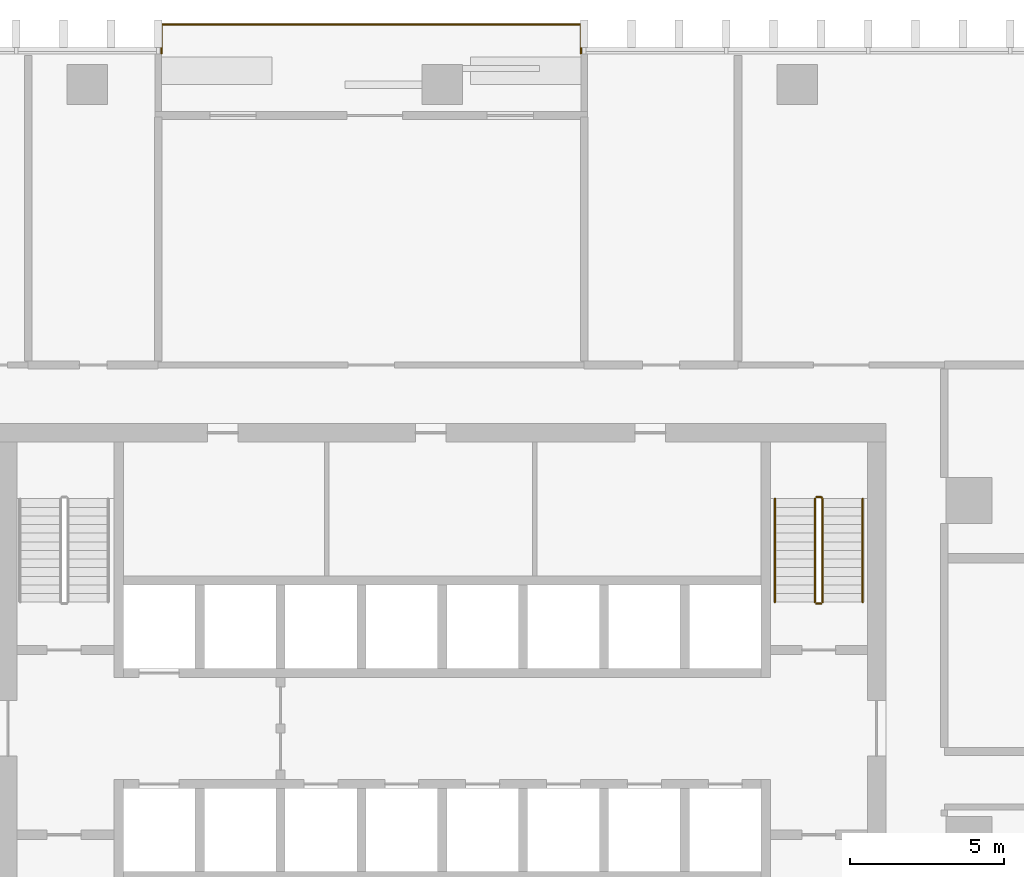
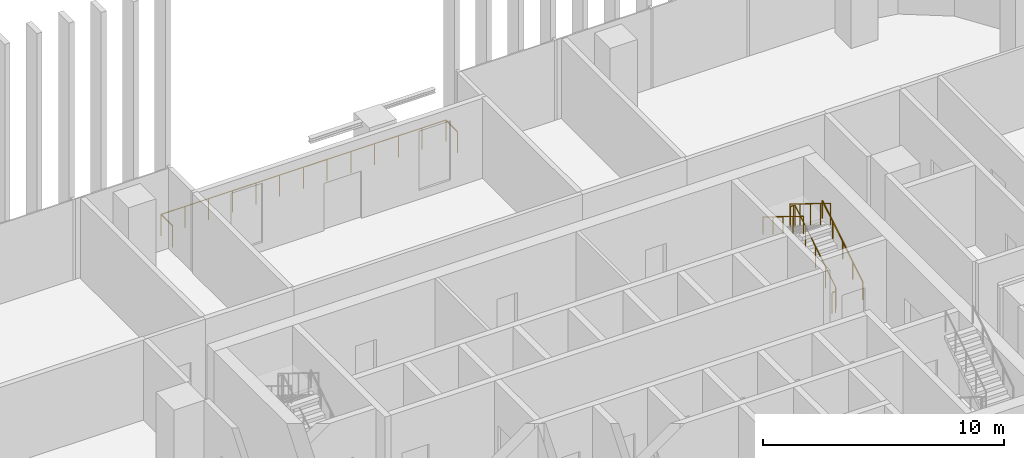
# One storey, part 16 of 17: 6 railings.
"""IFC4 building model written with IfcOpenShell, lengths in metres."""

from ifc_helpers import new_model, si_unit, direction, frame, origin, origin_2d, place, context, subcontext, project, spatial, circle, extrude, material, type_object, element, save


model = new_model("IFC4")

# Units and contexts
model_context = context("Model", 3, precision=1e-05, world=origin(), true_north=direction((0.0, 1.0)))
body_context = subcontext(model_context, "Body", "Model", "MODEL_VIEW")
ifc_project = project(units=[si_unit("LENGTHUNIT", "METRE"), si_unit("AREAUNIT", "SQUARE_METRE"), si_unit("VOLUMEUNIT", "CUBIC_METRE"), si_unit("PLANEANGLEUNIT", "RADIAN"), si_unit("MASSUNIT", "GRAM", prefix="KILO")], contexts=[model_context])

# Site, building, storey
site_placement = place(None, origin())
site = spatial("IfcSite", under=ifc_project, at=site_placement, CompositionType="ELEMENT")
building_placement = place(site_placement, origin())
building = spatial("IfcBuilding", under=site, at=building_placement, Name="Mopane Tessera Tower", CompositionType="ELEMENT")
storey_placement = place(building_placement, frame((0.0, 0.0, 135.10009765625)))
storey = spatial("IfcBuildingStorey", under=building, at=storey_placement, Name="L27", CompositionType="ELEMENT", Elevation=135.10009765625)

# Railings
ifc_material_1 = material(Name="Powder-coated steel balustrade", Category="steel")
railing_type_1 = type_object("IfcRailingType", Name="Escape stair guard 1100 mm", PredefinedType="GUARDRAIL", material=ifc_material_1)
railing_1_placement = place(storey_placement, frame((12.35009765625, 7.699951171875, 0.173095703125)))
element("IfcRailing", 1, at=railing_1_placement, inside=storey, type_object=railing_type_1, Name="L27 ST4 stair guard 1", PredefinedType="GUARDRAIL", context=body_context, shape_type="SweptSolid", body=[
    extrude(circle(Radius=0.02392578125, at=origin_2d()), frame((0.0, 0.0, 1.076171875), z_axis=(0.0, 0.850623216509, 0.525775754039), x_axis=(-1.0, 0.0, 0.0)), (0.0, 0.0, 1.0), 3.9501953125),
    extrude(circle(Radius=0.02392578125, at=origin_2d()), frame((0.0, 3.360107421875, 3.15283203125), z_axis=(-0.707106781187, 0.707106781187, 0.0), x_axis=(-0.707106781187, -0.707106781187, 0.0)), (0.0, 0.0, 1.0), 0.07080078125),
    extrude(circle(Radius=0.02392578125, at=origin_2d()), frame((-0.050048828125, 3.41015625, 3.15283203125), z_axis=(-1.0, 0.0, 0.0), x_axis=(0.0, -1.0, 0.0)), (0.0, 0.0, 1.0), 0.150146484375),
    extrude(circle(Radius=0.02099609375, at=origin_2d()), origin(), (0.0, 0.0, 1.0), 1.052001953125),
    extrude(circle(Radius=0.02099609375, at=origin_2d()), frame((0.0, 0.840087890625, 0.519287109375)), (0.0, 0.0, 1.0), 1.052001953125),
    extrude(circle(Radius=0.02099609375, at=origin_2d()), frame((0.0, 1.68017578125, 1.03857421875)), (0.0, 0.0, 1.0), 1.052001953125),
    extrude(circle(Radius=0.02099609375, at=origin_2d()), frame((0.0, 2.52001953125, 1.5576171875)), (0.0, 0.0, 1.0), 1.052001953125),
    extrude(circle(Radius=0.02099609375, at=origin_2d()), frame((0.0, 3.360107421875, 2.076904296875)), (0.0, 0.0, 1.0), 1.052001953125),
    extrude(circle(Radius=0.02099609375, at=origin_2d()), frame((-0.050048828125, 3.41015625, 2.076904296875)), (0.0, 0.0, 1.0), 1.052001953125),
    extrude(circle(Radius=0.02099609375, at=origin_2d()), frame((-0.2001953125, 3.41015625, 2.076904296875)), (0.0, 0.0, 1.0), 1.052001953125),
])
railing_2_placement = place(storey_placement, frame((12.10009765625, 11.06005859375, 2.423095703125)))
element("IfcRailing", 2, at=railing_2_placement, inside=storey, type_object=railing_type_1, Name="L27 ST4 stair guard 2", PredefinedType="GUARDRAIL", context=body_context, shape_type="SweptSolid", body=[
    extrude(circle(Radius=0.02392578125, at=origin_2d()), frame((0.0, 0.0, 1.076171875), z_axis=(0.0, -0.850623216509, 0.525775754039), x_axis=(1.0, 0.0, 0.0)), (0.0, 0.0, 1.0), 3.9501953125),
    extrude(circle(Radius=0.02099609375, at=origin_2d()), origin(), (0.0, 0.0, 1.0), 1.052001953125),
    extrude(circle(Radius=0.02099609375, at=origin_2d()), frame((0.0, -0.840087890625, 0.519287109375)), (0.0, 0.0, 1.0), 1.052001953125),
    extrude(circle(Radius=0.02099609375, at=origin_2d()), frame((0.0, -1.68017578125, 1.03857421875)), (0.0, 0.0, 1.0), 1.052001953125),
    extrude(circle(Radius=0.02099609375, at=origin_2d()), frame((0.0, -2.52001953125, 1.5576171875)), (0.0, 0.0, 1.0), 1.052001953125),
    extrude(circle(Radius=0.02099609375, at=origin_2d()), frame((0.0, -3.360107421875, 2.076904296875)), (0.0, 0.0, 1.0), 1.052001953125),
])
railing_3_placement = place(storey_placement, frame((12.300048828125, 7.64990234375, 0.0)))
element("IfcRailing", 3, at=railing_3_placement, inside=storey, type_object=railing_type_1, Name="L27 ST4 stair guard 3", PredefinedType="GUARDRAIL", context=body_context, shape_type="SweptSolid", body=[
    extrude(circle(Radius=0.02392578125, at=origin_2d()), frame((0.0, 0.0, 1.076171875), z_axis=(-1.0, 0.0, 0.0), x_axis=(0.0, -1.0, 0.0)), (0.0, 0.0, 1.0), 0.150146484375),
    extrude(circle(Radius=0.02099609375, at=origin_2d()), origin(), (0.0, 0.0, 1.0), 1.052001953125),
    extrude(circle(Radius=0.02099609375, at=origin_2d()), frame((-0.150146484375, 0.0, 0.0)), (0.0, 0.0, 1.0), 1.052001953125),
])
ifc_material_2 = material(Name="Powder-coated steel balustrade", Category="steel")
railing_type_2 = type_object("IfcRailingType", Name="Escape stair handrail 900 mm", PredefinedType="HANDRAIL", material=ifc_material_2)
railing_4_placement = place(storey_placement, frame((13.64990234375, 7.699951171875, 0.173095703125)))
element("IfcRailing", 4, at=railing_4_placement, inside=storey, type_object=railing_type_2, Name="L27 ST4 stair handrail 1", PredefinedType="HANDRAIL", context=body_context, shape_type="SweptSolid", body=[
    extrude(circle(Radius=0.02392578125, at=origin_2d()), frame((0.0, 0.0, 0.8759765625), z_axis=(0.0, 0.850623216509, 0.525775754039), x_axis=(-1.0, 0.0, 0.0)), (0.0, 0.0, 1.0), 3.9501953125),
    extrude(circle(Radius=0.02099609375, at=origin_2d()), origin(), (0.0, 0.0, 1.0), 0.851806640625),
    extrude(circle(Radius=0.02099609375, at=origin_2d()), frame((0.0, 0.840087890625, 0.519287109375)), (0.0, 0.0, 1.0), 0.851806640625),
    extrude(circle(Radius=0.02099609375, at=origin_2d()), frame((0.0, 1.68017578125, 1.03857421875)), (0.0, 0.0, 1.0), 0.851806640625),
    extrude(circle(Radius=0.02099609375, at=origin_2d()), frame((0.0, 2.52001953125, 1.5576171875)), (0.0, 0.0, 1.0), 0.851806640625),
    extrude(circle(Radius=0.02099609375, at=origin_2d()), frame((0.0, 3.360107421875, 2.076904296875)), (0.0, 0.0, 1.0), 0.851806640625),
])
railing_5_placement = place(storey_placement, frame((10.800048828125, 11.06005859375, 2.423095703125)))
element("IfcRailing", 5, at=railing_5_placement, inside=storey, type_object=railing_type_2, Name="L27 ST4 stair handrail 2", PredefinedType="HANDRAIL", context=body_context, shape_type="SweptSolid", body=[
    extrude(circle(Radius=0.02392578125, at=origin_2d()), frame((0.0, 0.0, 0.8759765625), z_axis=(0.0, -0.850623216509, 0.525775754039), x_axis=(1.0, 0.0, 0.0)), (0.0, 0.0, 1.0), 3.9501953125),
    extrude(circle(Radius=0.02099609375, at=origin_2d()), origin(), (0.0, 0.0, 1.0), 0.851806640625),
    extrude(circle(Radius=0.02099609375, at=origin_2d()), frame((0.0, -0.840087890625, 0.519287109375)), (0.0, 0.0, 1.0), 0.851806640625),
    extrude(circle(Radius=0.02099609375, at=origin_2d()), frame((0.0, -1.68017578125, 1.03857421875)), (0.0, 0.0, 1.0), 0.851806640625),
    extrude(circle(Radius=0.02099609375, at=origin_2d()), frame((0.0, -2.52001953125, 1.5576171875)), (0.0, 0.0, 1.0), 0.851806640625),
    extrude(circle(Radius=0.02099609375, at=origin_2d()), frame((0.0, -3.360107421875, 2.076904296875)), (0.0, 0.0, 1.0), 0.851806640625),
])
ifc_material_3 = material(Name="Stainless steel S316", Category="steel")
railing_type_3 = type_object("IfcRailingType", Name="Terrace guard 1100", PredefinedType="GUARDRAIL", material=ifc_material_3)
railing_6_placement = place(storey_placement, frame((4.510009765625, 25.5, 0.0)))
element("IfcRailing", 6, at=railing_6_placement, inside=storey, type_object=railing_type_3, Name="e:nw:L27:N1:guard", PredefinedType="GUARDRAIL", context=body_context, shape_type="SweptSolid", body=[
    extrude(circle(Radius=0.02392578125, at=origin_2d()), frame((0.0, 0.0, 1.076171875), z_axis=(0.0, 1.0, 0.0), x_axis=(-1.0, 0.0, 0.0)), (0.0, 0.0, 1.0), 0.949951171875),
    extrude(circle(Radius=0.02392578125, at=origin_2d()), frame((0.0, 0.949951171875, 1.076171875), z_axis=(-1.0, 0.0, 0.0), x_axis=(0.0, -1.0, 0.0)), (0.0, 0.0, 1.0), 13.630126953125),
    extrude(circle(Radius=0.02392578125, at=origin_2d()), frame((-13.630126953125, 0.949951171875, 1.076171875), z_axis=(0.0, -1.0, 0.0), x_axis=(1.0, 0.0, 0.0)), (0.0, 0.0, 1.0), 0.949951171875),
    extrude(circle(Radius=0.02099609375, at=origin_2d()), origin(), (0.0, 0.0, 1.0), 1.052001953125),
    extrude(circle(Radius=0.02099609375, at=origin_2d()), frame((0.0, 0.949951171875, 0.0)), (0.0, 0.0, 1.0), 1.052001953125),
    extrude(circle(Radius=0.02099609375, at=origin_2d()), frame((-1.1357421875, 0.949951171875, 0.0)), (0.0, 0.0, 1.0), 1.052001953125),
    extrude(circle(Radius=0.02099609375, at=origin_2d()), frame((-2.271728515625, 0.949951171875, 0.0)), (0.0, 0.0, 1.0), 1.052001953125),
    extrude(circle(Radius=0.02099609375, at=origin_2d()), frame((-3.407470703125, 0.949951171875, 0.0)), (0.0, 0.0, 1.0), 1.052001953125),
    extrude(circle(Radius=0.02099609375, at=origin_2d()), frame((-4.54345703125, 0.949951171875, 0.0)), (0.0, 0.0, 1.0), 1.052001953125),
    extrude(circle(Radius=0.02099609375, at=origin_2d()), frame((-5.67919921875, 0.949951171875, 0.0)), (0.0, 0.0, 1.0), 1.052001953125),
    extrude(circle(Radius=0.02099609375, at=origin_2d()), frame((-6.81494140625, 0.949951171875, 0.0)), (0.0, 0.0, 1.0), 1.052001953125),
    extrude(circle(Radius=0.02099609375, at=origin_2d()), frame((-7.950927734375, 0.949951171875, 0.0)), (0.0, 0.0, 1.0), 1.052001953125),
    extrude(circle(Radius=0.02099609375, at=origin_2d()), frame((-9.086669921875, 0.949951171875, 0.0)), (0.0, 0.0, 1.0), 1.052001953125),
    extrude(circle(Radius=0.02099609375, at=origin_2d()), frame((-10.22265625, 0.949951171875, 0.0)), (0.0, 0.0, 1.0), 1.052001953125),
    extrude(circle(Radius=0.02099609375, at=origin_2d()), frame((-11.3583984375, 0.949951171875, 0.0)), (0.0, 0.0, 1.0), 1.052001953125),
    extrude(circle(Radius=0.02099609375, at=origin_2d()), frame((-12.494384765625, 0.949951171875, 0.0)), (0.0, 0.0, 1.0), 1.052001953125),
    extrude(circle(Radius=0.02099609375, at=origin_2d()), frame((-13.630126953125, 0.949951171875, 0.0)), (0.0, 0.0, 1.0), 1.052001953125),
    extrude(circle(Radius=0.02099609375, at=origin_2d()), frame((-13.630126953125, 0.0, 0.0)), (0.0, 0.0, 1.0), 1.052001953125),
])

save(model, "model.ifc")
